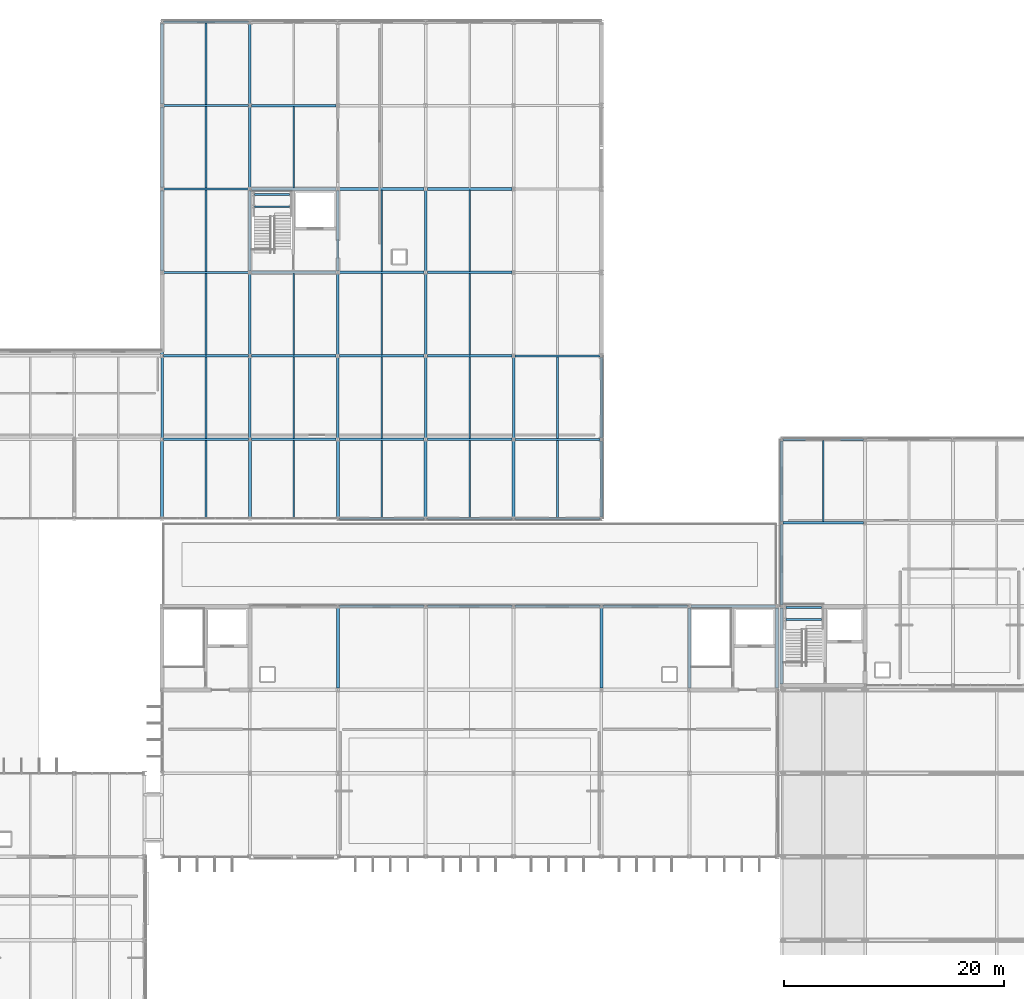
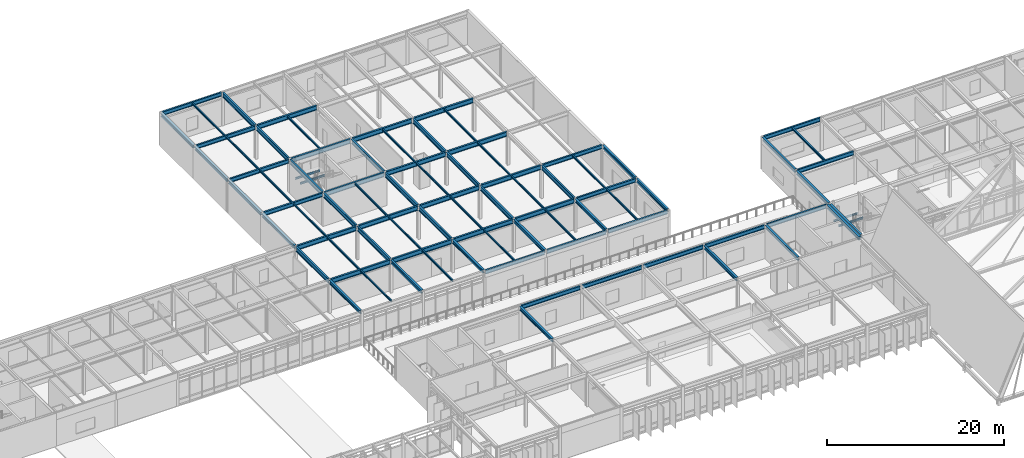
# One storey, part 50 of 100: 87 beams.
"""IFC4 building model written with IfcOpenShell, lengths in metres."""

from ifc_helpers import new_model, si_unit, direction, frame, origin, origin_2d, place, context, subcontext, project, spatial, i_section, extrude, material, material_profile, profile_set, type_object, element, save


model = new_model("IFC4")

# Units and contexts
model_context = context("Model", 3, precision=1e-05, world=origin(), true_north=direction((0.0, 1.0)))
body_context = subcontext(model_context, "Body", "Model", "MODEL_VIEW")
ifc_project = project(units=[si_unit("LENGTHUNIT", "METRE"), si_unit("AREAUNIT", "SQUARE_METRE"), si_unit("VOLUMEUNIT", "CUBIC_METRE"), si_unit("PLANEANGLEUNIT", "RADIAN"), si_unit("MASSUNIT", "GRAM", prefix="KILO")], contexts=[model_context])

# Site, building, storey
site_placement = place(None, origin())
site = spatial("IfcSite", under=ifc_project, at=site_placement, CompositionType="ELEMENT")
building_placement = place(site_placement, origin())
building = spatial("IfcBuilding", under=site, at=building_placement, Name="Zulena Civic Courthouse", CompositionType="ELEMENT")
storey_placement = place(building_placement, frame((0.0, 0.0, 20.39990234375)))
storey = spatial("IfcBuildingStorey", under=building, at=storey_placement, Name="L04", CompositionType="ELEMENT", Elevation=20.39990234375)

# Beams
ifc_material = material(Name="Steel ASTM A992 Grade 50", Category="steel")
ifc_material_profile_1 = material_profile(ifc_material, i_section(OverallWidth=0.22802734375, OverallDepth=0.60693359375, WebThickness=0.01123046875, FlangeThickness=0.017333984375, FilletRadius=0.0126953125, at=origin_2d()), Name="W24X76")
ifc_profile_set_1 = profile_set([ifc_material_profile_1], Name="Steel ASTM A992 Grade 50")
beam_type_1 = type_object("IfcBeamType", Name="Girder_W24X76", PredefinedType="BEAM", material=ifc_profile_set_1)
for number, where, z_axis, x_axis, name in (
    (1, (68.0, 53.344970703125, 4.29150390625), (0.0, 1.0, 0.0), (-1.0, 0.0, 0.0), "beam:Y:V5:L04:68.0:53.2_60.8"),
    (2, (76.0, 53.344970703125, 4.29150390625), (0.0, 1.0, 0.0), (-1.0, 0.0, 0.0), "beam:Y:V5:L04:76.0:53.2_60.8"),
):
    element("IfcBeam", number, at=place(storey_placement, frame(where, z_axis=z_axis, x_axis=x_axis)), inside=storey, type_object=beam_type_1, Name=name, PredefinedType="BEAM", context=body_context, shape_type="SweptSolid", body=[
        extrude(i_section(OverallWidth=0.22802734375, OverallDepth=0.60693359375, WebThickness=0.01123046875, FlangeThickness=0.017333984375, FilletRadius=0.0126953125, at=origin_2d()), origin(), (0.0, 0.0, 1.0), 7.31005859375),
    ])
beam_1_placement = place(storey_placement, frame((76.0, 60.945068359375, 4.29150390625), z_axis=(0.0, 1.0, 0.0), x_axis=(-1.0, 0.0, 0.0)))
element("IfcBeam", 3, at=beam_1_placement, inside=storey, type_object=beam_type_1, Name="beam:Y:V5:L04:76.0:60.8_68.4", PredefinedType="BEAM", context=body_context, shape_type="SweptSolid", body=[
    extrude(i_section(OverallWidth=0.22802734375, OverallDepth=0.60693359375, WebThickness=0.01123046875, FlangeThickness=0.017333984375, FilletRadius=0.0126953125, at=origin_2d()), origin(), (0.0, 0.0, 1.0), 7.309814453125),
])
for number, where, z_axis, x_axis, name in (
    (4, (76.0, 68.544921875, 4.29150390625), (0.0, 1.0, 0.0), (-1.0, 0.0, 0.0), "beam:Y:V5:L04:76.0:68.4_76.0"),
    (5, (76.0, 76.14501953125, 4.29150390625), (0.0, 1.0, 0.0), (-1.0, 0.0, 0.0), "beam:Y:V5:L04:76.0:76.0_83.6"),
):
    element("IfcBeam", number, at=place(storey_placement, frame(where, z_axis=z_axis, x_axis=x_axis)), inside=storey, type_object=beam_type_1, Name=name, PredefinedType="BEAM", context=body_context, shape_type="SweptSolid", body=[
        extrude(i_section(OverallWidth=0.22802734375, OverallDepth=0.60693359375, WebThickness=0.01123046875, FlangeThickness=0.017333984375, FilletRadius=0.0126953125, at=origin_2d()), origin(), (0.0, 0.0, 1.0), 7.31005859375),
    ])
beam_2_placement = place(storey_placement, frame((76.0, 83.7451171875, 4.29150390625), z_axis=(0.0, 1.0, 0.0), x_axis=(-1.0, 0.0, 0.0)))
element("IfcBeam", 6, at=beam_2_placement, inside=storey, type_object=beam_type_1, Name="beam:Y:V5:L04:76.0:83.6_91.2", PredefinedType="BEAM", context=body_context, shape_type="SweptSolid", body=[
    extrude(i_section(OverallWidth=0.22802734375, OverallDepth=0.60693359375, WebThickness=0.01123046875, FlangeThickness=0.017333984375, FilletRadius=0.0126953125, at=origin_2d()), origin(), (0.0, 0.0, 1.0), 7.309814453125),
])
beam_3_placement = place(storey_placement, frame((84.0, 53.344970703125, 4.29150390625), z_axis=(0.0, 1.0, 0.0), x_axis=(-1.0, 0.0, 0.0)))
element("IfcBeam", 7, at=beam_3_placement, inside=storey, type_object=beam_type_1, Name="beam:Y:V5:L04:84.0:53.2_60.8", PredefinedType="BEAM", context=body_context, shape_type="SweptSolid", body=[
    extrude(i_section(OverallWidth=0.22802734375, OverallDepth=0.60693359375, WebThickness=0.01123046875, FlangeThickness=0.017333984375, FilletRadius=0.0126953125, at=origin_2d()), origin(), (0.0, 0.0, 1.0), 7.31005859375),
])
beam_4_placement = place(storey_placement, frame((84.0, 60.945068359375, 4.29150390625), z_axis=(0.0, 1.0, 0.0), x_axis=(-1.0, 0.0, 0.0)))
element("IfcBeam", 8, at=beam_4_placement, inside=storey, type_object=beam_type_1, Name="beam:Y:V5:L04:84.0:60.8_68.4", PredefinedType="BEAM", context=body_context, shape_type="SweptSolid", body=[
    extrude(i_section(OverallWidth=0.22802734375, OverallDepth=0.60693359375, WebThickness=0.01123046875, FlangeThickness=0.017333984375, FilletRadius=0.0126953125, at=origin_2d()), origin(), (0.0, 0.0, 1.0), 7.309814453125),
])
for number, where, z_axis, x_axis, name in (
    (9, (84.0, 68.544921875, 4.29150390625), (0.0, 1.0, 0.0), (-1.0, 0.0, 0.0), "beam:Y:V5:L04:84.0:68.4_76.0"),
    (10, (92.0, 53.344970703125, 4.29150390625), (0.0, 1.0, 0.0), (-1.0, 0.0, 0.0), "beam:Y:V5:L04:92.0:53.2_60.8"),
):
    element("IfcBeam", number, at=place(storey_placement, frame(where, z_axis=z_axis, x_axis=x_axis)), inside=storey, type_object=beam_type_1, Name=name, PredefinedType="BEAM", context=body_context, shape_type="SweptSolid", body=[
        extrude(i_section(OverallWidth=0.22802734375, OverallDepth=0.60693359375, WebThickness=0.01123046875, FlangeThickness=0.017333984375, FilletRadius=0.0126953125, at=origin_2d()), origin(), (0.0, 0.0, 1.0), 7.31005859375),
    ])
beam_5_placement = place(storey_placement, frame((92.0, 60.945068359375, 4.29150390625), z_axis=(0.0, 1.0, 0.0), x_axis=(-1.0, 0.0, 0.0)))
element("IfcBeam", 11, at=beam_5_placement, inside=storey, type_object=beam_type_1, Name="beam:Y:V5:L04:92.0:60.8_68.4", PredefinedType="BEAM", context=body_context, shape_type="SweptSolid", body=[
    extrude(i_section(OverallWidth=0.22802734375, OverallDepth=0.60693359375, WebThickness=0.01123046875, FlangeThickness=0.017333984375, FilletRadius=0.0126953125, at=origin_2d()), origin(), (0.0, 0.0, 1.0), 7.309814453125),
])
for number, where, z_axis, x_axis, name in (
    (12, (92.0, 68.544921875, 4.29150390625), (0.0, 1.0, 0.0), (-1.0, 0.0, 0.0), "beam:Y:V5:L04:92.0:68.4_76.0"),
    (13, (100.0, 53.344970703125, 4.29150390625), (0.0, 1.0, 0.0), (-1.0, 0.0, 0.0), "beam:Y:V5:L04:100.0:53.2_60.8"),
):
    element("IfcBeam", number, at=place(storey_placement, frame(where, z_axis=z_axis, x_axis=x_axis)), inside=storey, type_object=beam_type_1, Name=name, PredefinedType="BEAM", context=body_context, shape_type="SweptSolid", body=[
        extrude(i_section(OverallWidth=0.22802734375, OverallDepth=0.60693359375, WebThickness=0.01123046875, FlangeThickness=0.017333984375, FilletRadius=0.0126953125, at=origin_2d()), origin(), (0.0, 0.0, 1.0), 7.31005859375),
    ])
ifc_material_profile_2 = material_profile(ifc_material, i_section(OverallWidth=0.22998046875, OverallDepth=0.616943359375, WebThickness=0.01318359375, FlangeThickness=0.022216796875, FilletRadius=0.0126953125, at=origin_2d()), Name="W24X94")
ifc_profile_set_2 = profile_set([ifc_material_profile_2], Name="Steel ASTM A992 Grade 50")
beam_type_2 = type_object("IfcBeamType", Name="Girder_W24X94", PredefinedType="BEAM", material=ifc_profile_set_2)
for number, where, z_axis, x_axis, name in (
    (14, (68.14501953125, 53.199951171875, 4.28662109375), (1.0, 0.0, 0.0), (0.0, 1.0, 0.0), "beam:X:V5:L04:53.2:68.0_76.0"),
    (15, (76.14501953125, 53.199951171875, 4.28662109375), (1.0, 0.0, 0.0), (0.0, 1.0, 0.0), "beam:X:V5:L04:53.2:76.0_84.0"),
    (16, (84.14501953125, 53.199951171875, 4.28662109375), (1.0, 0.0, 0.0), (0.0, 1.0, 0.0), "beam:X:V5:L04:53.2:84.0_92.0"),
    (17, (92.14501953125, 53.199951171875, 4.28662109375), (1.0, 0.0, 0.0), (0.0, 1.0, 0.0), "beam:X:V5:L04:53.2:92.0_100.0"),
    (18, (68.14501953125, 60.800048828125, 4.28662109375), (1.0, 0.0, 0.0), (0.0, 1.0, 0.0), "beam:X:V5:L04:60.8:68.0_76.0"),
    (19, (76.14501953125, 60.800048828125, 4.28662109375), (1.0, 0.0, 0.0), (0.0, 1.0, 0.0), "beam:X:V5:L04:60.8:76.0_84.0"),
    (20, (84.14501953125, 60.800048828125, 4.28662109375), (1.0, 0.0, 0.0), (0.0, 1.0, 0.0), "beam:X:V5:L04:60.8:84.0_92.0"),
    (21, (92.14501953125, 60.800048828125, 4.28662109375), (1.0, 0.0, 0.0), (0.0, 1.0, 0.0), "beam:X:V5:L04:60.8:92.0_100.0"),
    (22, (76.14501953125, 68.39990234375, 4.28662109375), (1.0, 0.0, 0.0), (0.0, 1.0, 0.0), "beam:X:V5:L04:68.4:76.0_84.0"),
    (23, (84.14501953125, 68.39990234375, 4.28662109375), (1.0, 0.0, 0.0), (0.0, 1.0, 0.0), "beam:X:V5:L04:68.4:84.0_92.0"),
    (24, (92.14501953125, 68.39990234375, 4.28662109375), (1.0, 0.0, 0.0), (0.0, 1.0, 0.0), "beam:X:V5:L04:68.4:92.0_100.0"),
    (25, (76.14501953125, 76.0, 4.28662109375), (1.0, 0.0, 0.0), (0.0, 1.0, 0.0), "beam:X:V5:L04:76.0:76.0_84.0"),
    (26, (84.14501953125, 76.0, 4.28662109375), (1.0, 0.0, 0.0), (0.0, 1.0, 0.0), "beam:X:V5:L04:76.0:84.0_92.0"),
    (27, (92.14501953125, 76.0, 4.28662109375), (1.0, 0.0, 0.0), (0.0, 1.0, 0.0), "beam:X:V5:L04:76.0:92.0_100.0"),
    (28, (76.14501953125, 83.60009765625, 4.28662109375), (1.0, 0.0, 0.0), (0.0, 1.0, 0.0), "beam:X:V5:L04:83.6:76.0_84.0"),
):
    element("IfcBeam", number, at=place(storey_placement, frame(where, z_axis=z_axis, x_axis=x_axis)), inside=storey, type_object=beam_type_2, Name=name, PredefinedType="BEAM", context=body_context, shape_type="SweptSolid", body=[
        extrude(i_section(OverallWidth=0.22998046875, OverallDepth=0.616943359375, WebThickness=0.01318359375, FlangeThickness=0.022216796875, FilletRadius=0.0126953125, at=origin_2d()), origin(), (0.0, 0.0, 1.0), 7.7099609375),
    ])
ifc_material_profile_3 = material_profile(ifc_material, i_section(OverallWidth=0.14599609375, OverallDepth=0.258056640625, WebThickness=0.006103515625, FlangeThickness=0.009033203125, FilletRadius=0.007568359375, at=origin_2d()), Name="W10X22")
ifc_profile_set_3 = profile_set([ifc_material_profile_3], Name="Steel ASTM A992 Grade 50")
beam_type_3 = type_object("IfcBeamType", Name="Joist_W10X22", PredefinedType="JOIST", material=ifc_profile_set_3)
beam_6_placement = place(storey_placement, frame((72.0, 46.10498046875, 4.466064453125), z_axis=(0.0, 1.0, 0.0), x_axis=(-1.0, 0.0, 0.0)))
element("IfcBeam", 29, at=beam_6_placement, inside=storey, type_object=beam_type_3, Name="joist:V5:L04:72.00:46.0_53.2", PredefinedType="JOIST", context=body_context, shape_type="SweptSolid", body=[
    extrude(i_section(OverallWidth=0.14599609375, OverallDepth=0.258056640625, WebThickness=0.006103515625, FlangeThickness=0.009033203125, FilletRadius=0.007568359375, at=origin_2d()), origin(), (0.0, 0.0, 1.0), 6.989990234375),
])
beam_7_placement = place(storey_placement, frame((72.0, 53.304931640625, 4.466064453125), z_axis=(0.0, 1.0, 0.0), x_axis=(-1.0, 0.0, 0.0)))
element("IfcBeam", 30, at=beam_7_placement, inside=storey, type_object=beam_type_3, Name="joist:V5:L04:72.00:53.2_60.8", PredefinedType="JOIST", context=body_context, shape_type="SweptSolid", body=[
    extrude(i_section(OverallWidth=0.14599609375, OverallDepth=0.258056640625, WebThickness=0.006103515625, FlangeThickness=0.009033203125, FilletRadius=0.007568359375, at=origin_2d()), origin(), (0.0, 0.0, 1.0), 7.39013671875),
])
beam_8_placement = place(storey_placement, frame((72.0, 60.905029296875, 4.466064453125), z_axis=(0.0, 1.0, 0.0), x_axis=(-1.0, 0.0, 0.0)))
element("IfcBeam", 31, at=beam_8_placement, inside=storey, type_object=beam_type_3, Name="joist:V5:L04:72.00:60.8_68.4", PredefinedType="JOIST", context=body_context, shape_type="SweptSolid", body=[
    extrude(i_section(OverallWidth=0.14599609375, OverallDepth=0.258056640625, WebThickness=0.006103515625, FlangeThickness=0.009033203125, FilletRadius=0.007568359375, at=origin_2d()), origin(), (0.0, 0.0, 1.0), 7.389892578125),
])
for number, where, z_axis, x_axis, name in (
    (32, (72.0, 68.5048828125, 4.466064453125), (0.0, 1.0, 0.0), (-1.0, 0.0, 0.0), "joist:V5:L04:72.00:68.4_76.0"),
    (33, (72.0, 76.10498046875, 4.466064453125), (0.0, 1.0, 0.0), (-1.0, 0.0, 0.0), "joist:V5:L04:72.00:76.0_83.6"),
):
    element("IfcBeam", number, at=place(storey_placement, frame(where, z_axis=z_axis, x_axis=x_axis)), inside=storey, type_object=beam_type_3, Name=name, PredefinedType="JOIST", context=body_context, shape_type="SweptSolid", body=[
        extrude(i_section(OverallWidth=0.14599609375, OverallDepth=0.258056640625, WebThickness=0.006103515625, FlangeThickness=0.009033203125, FilletRadius=0.007568359375, at=origin_2d()), origin(), (0.0, 0.0, 1.0), 7.39013671875),
    ])
beam_9_placement = place(storey_placement, frame((72.0, 83.705078125, 4.466064453125), z_axis=(0.0, 1.0, 0.0), x_axis=(-1.0, 0.0, 0.0)))
element("IfcBeam", 34, at=beam_9_placement, inside=storey, type_object=beam_type_3, Name="joist:V5:L04:72.00:83.6_91.2", PredefinedType="JOIST", context=body_context, shape_type="SweptSolid", body=[
    extrude(i_section(OverallWidth=0.14599609375, OverallDepth=0.258056640625, WebThickness=0.006103515625, FlangeThickness=0.009033203125, FilletRadius=0.007568359375, at=origin_2d()), origin(), (0.0, 0.0, 1.0), 7.389892578125),
])
beam_10_placement = place(storey_placement, frame((80.0, 46.10498046875, 4.466064453125), z_axis=(0.0, 1.0, 0.0), x_axis=(-1.0, 0.0, 0.0)))
element("IfcBeam", 35, at=beam_10_placement, inside=storey, type_object=beam_type_3, Name="joist:V5:L04:80.00:46.0_53.2", PredefinedType="JOIST", context=body_context, shape_type="SweptSolid", body=[
    extrude(i_section(OverallWidth=0.14599609375, OverallDepth=0.258056640625, WebThickness=0.006103515625, FlangeThickness=0.009033203125, FilletRadius=0.007568359375, at=origin_2d()), origin(), (0.0, 0.0, 1.0), 6.989990234375),
])
beam_11_placement = place(storey_placement, frame((80.0, 53.304931640625, 4.466064453125), z_axis=(0.0, 1.0, 0.0), x_axis=(-1.0, 0.0, 0.0)))
element("IfcBeam", 36, at=beam_11_placement, inside=storey, type_object=beam_type_3, Name="joist:V5:L04:80.00:53.2_60.8", PredefinedType="JOIST", context=body_context, shape_type="SweptSolid", body=[
    extrude(i_section(OverallWidth=0.14599609375, OverallDepth=0.258056640625, WebThickness=0.006103515625, FlangeThickness=0.009033203125, FilletRadius=0.007568359375, at=origin_2d()), origin(), (0.0, 0.0, 1.0), 7.39013671875),
])
beam_12_placement = place(storey_placement, frame((80.0, 60.905029296875, 4.466064453125), z_axis=(0.0, 1.0, 0.0), x_axis=(-1.0, 0.0, 0.0)))
element("IfcBeam", 37, at=beam_12_placement, inside=storey, type_object=beam_type_3, Name="joist:V5:L04:80.00:60.8_68.4", PredefinedType="JOIST", context=body_context, shape_type="SweptSolid", body=[
    extrude(i_section(OverallWidth=0.14599609375, OverallDepth=0.258056640625, WebThickness=0.006103515625, FlangeThickness=0.009033203125, FilletRadius=0.007568359375, at=origin_2d()), origin(), (0.0, 0.0, 1.0), 7.389892578125),
])
beam_13_placement = place(storey_placement, frame((80.0, 76.10498046875, 4.466064453125), z_axis=(0.0, 1.0, 0.0), x_axis=(-1.0, 0.0, 0.0)))
element("IfcBeam", 38, at=beam_13_placement, inside=storey, type_object=beam_type_3, Name="joist:V5:L04:80.00:76.0_83.6", PredefinedType="JOIST", context=body_context, shape_type="SweptSolid", body=[
    extrude(i_section(OverallWidth=0.14599609375, OverallDepth=0.258056640625, WebThickness=0.006103515625, FlangeThickness=0.009033203125, FilletRadius=0.007568359375, at=origin_2d()), origin(), (0.0, 0.0, 1.0), 7.39013671875),
])
beam_14_placement = place(storey_placement, frame((88.0, 46.10498046875, 4.466064453125), z_axis=(0.0, 1.0, 0.0), x_axis=(-1.0, 0.0, 0.0)))
element("IfcBeam", 39, at=beam_14_placement, inside=storey, type_object=beam_type_3, Name="joist:V5:L04:88.00:46.0_53.2", PredefinedType="JOIST", context=body_context, shape_type="SweptSolid", body=[
    extrude(i_section(OverallWidth=0.14599609375, OverallDepth=0.258056640625, WebThickness=0.006103515625, FlangeThickness=0.009033203125, FilletRadius=0.007568359375, at=origin_2d()), origin(), (0.0, 0.0, 1.0), 6.989990234375),
])
beam_15_placement = place(storey_placement, frame((88.0, 53.304931640625, 4.466064453125), z_axis=(0.0, 1.0, 0.0), x_axis=(-1.0, 0.0, 0.0)))
element("IfcBeam", 40, at=beam_15_placement, inside=storey, type_object=beam_type_3, Name="joist:V5:L04:88.00:53.2_60.8", PredefinedType="JOIST", context=body_context, shape_type="SweptSolid", body=[
    extrude(i_section(OverallWidth=0.14599609375, OverallDepth=0.258056640625, WebThickness=0.006103515625, FlangeThickness=0.009033203125, FilletRadius=0.007568359375, at=origin_2d()), origin(), (0.0, 0.0, 1.0), 7.39013671875),
])
beam_16_placement = place(storey_placement, frame((88.0, 60.905029296875, 4.466064453125), z_axis=(0.0, 1.0, 0.0), x_axis=(-1.0, 0.0, 0.0)))
element("IfcBeam", 41, at=beam_16_placement, inside=storey, type_object=beam_type_3, Name="joist:V5:L04:88.00:60.8_68.4", PredefinedType="JOIST", context=body_context, shape_type="SweptSolid", body=[
    extrude(i_section(OverallWidth=0.14599609375, OverallDepth=0.258056640625, WebThickness=0.006103515625, FlangeThickness=0.009033203125, FilletRadius=0.007568359375, at=origin_2d()), origin(), (0.0, 0.0, 1.0), 7.389892578125),
])
beam_17_placement = place(storey_placement, frame((88.0, 68.5048828125, 4.466064453125), z_axis=(0.0, 1.0, 0.0), x_axis=(-1.0, 0.0, 0.0)))
element("IfcBeam", 42, at=beam_17_placement, inside=storey, type_object=beam_type_3, Name="joist:V5:L04:88.00:68.4_76.0", PredefinedType="JOIST", context=body_context, shape_type="SweptSolid", body=[
    extrude(i_section(OverallWidth=0.14599609375, OverallDepth=0.258056640625, WebThickness=0.006103515625, FlangeThickness=0.009033203125, FilletRadius=0.007568359375, at=origin_2d()), origin(), (0.0, 0.0, 1.0), 7.39013671875),
])
beam_18_placement = place(storey_placement, frame((96.0, 46.10498046875, 4.466064453125), z_axis=(0.0, 1.0, 0.0), x_axis=(-1.0, 0.0, 0.0)))
element("IfcBeam", 43, at=beam_18_placement, inside=storey, type_object=beam_type_3, Name="joist:V5:L04:96.00:46.0_53.2", PredefinedType="JOIST", context=body_context, shape_type="SweptSolid", body=[
    extrude(i_section(OverallWidth=0.14599609375, OverallDepth=0.258056640625, WebThickness=0.006103515625, FlangeThickness=0.009033203125, FilletRadius=0.007568359375, at=origin_2d()), origin(), (0.0, 0.0, 1.0), 6.989990234375),
])
beam_19_placement = place(storey_placement, frame((96.0, 53.304931640625, 4.466064453125), z_axis=(0.0, 1.0, 0.0), x_axis=(-1.0, 0.0, 0.0)))
element("IfcBeam", 44, at=beam_19_placement, inside=storey, type_object=beam_type_3, Name="joist:V5:L04:96.00:53.2_60.8", PredefinedType="JOIST", context=body_context, shape_type="SweptSolid", body=[
    extrude(i_section(OverallWidth=0.14599609375, OverallDepth=0.258056640625, WebThickness=0.006103515625, FlangeThickness=0.009033203125, FilletRadius=0.007568359375, at=origin_2d()), origin(), (0.0, 0.0, 1.0), 7.39013671875),
])
beam_20_placement = place(storey_placement, frame((96.0, 60.905029296875, 4.466064453125), z_axis=(0.0, 1.0, 0.0), x_axis=(-1.0, 0.0, 0.0)))
element("IfcBeam", 45, at=beam_20_placement, inside=storey, type_object=beam_type_3, Name="joist:V5:L04:96.00:60.8_68.4", PredefinedType="JOIST", context=body_context, shape_type="SweptSolid", body=[
    extrude(i_section(OverallWidth=0.14599609375, OverallDepth=0.258056640625, WebThickness=0.006103515625, FlangeThickness=0.009033203125, FilletRadius=0.007568359375, at=origin_2d()), origin(), (0.0, 0.0, 1.0), 7.389892578125),
])
beam_21_placement = place(storey_placement, frame((96.0, 68.5048828125, 4.466064453125), z_axis=(0.0, 1.0, 0.0), x_axis=(-1.0, 0.0, 0.0)))
element("IfcBeam", 46, at=beam_21_placement, inside=storey, type_object=beam_type_3, Name="joist:V5:L04:96.00:68.4_76.0", PredefinedType="JOIST", context=body_context, shape_type="SweptSolid", body=[
    extrude(i_section(OverallWidth=0.14599609375, OverallDepth=0.258056640625, WebThickness=0.006103515625, FlangeThickness=0.009033203125, FilletRadius=0.007568359375, at=origin_2d()), origin(), (0.0, 0.0, 1.0), 7.39013671875),
])
beam_22_placement = place(storey_placement, frame((104.0, 46.10498046875, 4.466064453125), z_axis=(0.0, 1.0, 0.0), x_axis=(-1.0, 0.0, 0.0)))
element("IfcBeam", 47, at=beam_22_placement, inside=storey, type_object=beam_type_3, Name="joist:V5:L04:104.00:46.0_53.2", PredefinedType="JOIST", context=body_context, shape_type="SweptSolid", body=[
    extrude(i_section(OverallWidth=0.14599609375, OverallDepth=0.258056640625, WebThickness=0.006103515625, FlangeThickness=0.009033203125, FilletRadius=0.007568359375, at=origin_2d()), origin(), (0.0, 0.0, 1.0), 6.989990234375),
])
beam_23_placement = place(storey_placement, frame((104.0, 53.304931640625, 4.466064453125), z_axis=(0.0, 1.0, 0.0), x_axis=(-1.0, 0.0, 0.0)))
element("IfcBeam", 48, at=beam_23_placement, inside=storey, type_object=beam_type_3, Name="joist:V5:L04:104.00:53.2_60.8", PredefinedType="JOIST", context=body_context, shape_type="SweptSolid", body=[
    extrude(i_section(OverallWidth=0.14599609375, OverallDepth=0.258056640625, WebThickness=0.006103515625, FlangeThickness=0.009033203125, FilletRadius=0.007568359375, at=origin_2d()), origin(), (0.0, 0.0, 1.0), 7.39013671875),
])
for number, where, z_axis, x_axis, name in (
    (49, (124.820068359375, 36.800048828125, 1.9912109375), (1.0, 0.0, 0.0), (0.0, 1.0, 0.0), "beam:lnd:K3A:L04:0"),
    (50, (124.820068359375, 37.89990234375, 1.9912109375), (1.0, 0.0, 0.0), (0.0, 1.0, 0.0), "beam:lnd:K3A:L04:1"),
):
    element("IfcBeam", number, at=place(storey_placement, frame(where, z_axis=z_axis, x_axis=x_axis)), inside=storey, type_object=beam_type_3, Name=name, PredefinedType="JOIST", context=body_context, shape_type="SweptSolid", body=[
        extrude(i_section(OverallWidth=0.14599609375, OverallDepth=0.258056640625, WebThickness=0.006103515625, FlangeThickness=0.009033203125, FilletRadius=0.007568359375, at=origin_2d()), origin(), (0.0, 0.0, 1.0), 3.199951171875),
    ])
for number, where, z_axis, x_axis, name in (
    (51, (76.419921875, 74.39990234375, 1.9912109375), (1.0, 0.0, 0.0), (0.0, 1.0, 0.0), "beam:lnd:K5B:L04:0"),
    (52, (76.419921875, 75.5, 1.9912109375), (1.0, 0.0, 0.0), (0.0, 1.0, 0.0), "beam:lnd:K5B:L04:1"),
):
    element("IfcBeam", number, at=place(storey_placement, frame(where, z_axis=z_axis, x_axis=x_axis)), inside=storey, type_object=beam_type_3, Name=name, PredefinedType="JOIST", context=body_context, shape_type="SweptSolid", body=[
        extrude(i_section(OverallWidth=0.14599609375, OverallDepth=0.258056640625, WebThickness=0.006103515625, FlangeThickness=0.009033203125, FilletRadius=0.007568359375, at=origin_2d()), origin(), (0.0, 0.0, 1.0), 3.2001953125),
    ])
ifc_material_profile_4 = material_profile(ifc_material, i_section(OverallWidth=0.1650390625, OverallDepth=0.31005859375, WebThickness=0.005859375, FlangeThickness=0.009765625, FilletRadius=0.009765625, at=origin_2d()), Name="W12X26")
ifc_profile_set_4 = profile_set([ifc_material_profile_4], Name="Steel ASTM A992 Grade 50")
beam_type_4 = type_object("IfcBeamType", Name="Joist_W12X26", PredefinedType="JOIST", material=ifc_profile_set_4)
beam_24_placement = place(storey_placement, frame((128.199951171875, 45.705078125, 4.39013671875), z_axis=(0.0, 1.0, 0.0), x_axis=(-1.0, 0.0, 0.0)))
element("IfcBeam", 53, at=beam_24_placement, inside=storey, type_object=beam_type_4, Name="joist:V3:L04:128.20:45.6_53.2", PredefinedType="JOIST", context=body_context, shape_type="SweptSolid", body=[
    extrude(i_section(OverallWidth=0.1650390625, OverallDepth=0.31005859375, WebThickness=0.005859375, FlangeThickness=0.009765625, FilletRadius=0.009765625, at=origin_2d()), origin(), (0.0, 0.0, 1.0), 7.389892578125),
])
ifc_material_profile_5 = material_profile(ifc_material, i_section(OverallWidth=0.280029296875, OverallDepth=0.462890625, WebThickness=0.0107421875, FlangeThickness=0.017333984375, FilletRadius=0.01025390625, at=origin_2d()), Name="W18X76")
ifc_profile_set_5 = profile_set([ifc_material_profile_5], Name="Steel ASTM A992 Grade 50")
beam_type_5 = type_object("IfcBeamType", Name="Spandrel_W18X76", PredefinedType="SPANDREL", material=ifc_profile_set_5)
beam_25_placement = place(storey_placement, frame((124.39990234375, 30.945068359375, 4.3134765625), z_axis=(0.0, 1.0, 0.0), x_axis=(-1.0, 0.0, 0.0)))
element("IfcBeam", 54, at=beam_25_placement, inside=storey, type_object=beam_type_5, Name="beam:Y:V3:L04:124.4:30.8_38.0", PredefinedType="SPANDREL", context=body_context, shape_type="SweptSolid", body=[
    extrude(i_section(OverallWidth=0.280029296875, OverallDepth=0.462890625, WebThickness=0.0107421875, FlangeThickness=0.017333984375, FilletRadius=0.01025390625, at=origin_2d()), origin(), (0.0, 0.0, 1.0), 6.909912109375),
])
beam_26_placement = place(storey_placement, frame((124.39990234375, 38.14501953125, 4.3134765625), z_axis=(0.0, 1.0, 0.0), x_axis=(-1.0, 0.0, 0.0)))
element("IfcBeam", 55, at=beam_26_placement, inside=storey, type_object=beam_type_5, Name="beam:Y:V3:L04:124.4:38.0_45.6", PredefinedType="SPANDREL", context=body_context, shape_type="SweptSolid", body=[
    extrude(i_section(OverallWidth=0.280029296875, OverallDepth=0.462890625, WebThickness=0.0107421875, FlangeThickness=0.017333984375, FilletRadius=0.01025390625, at=origin_2d()), origin(), (0.0, 0.0, 1.0), 7.31005859375),
])
beam_27_placement = place(storey_placement, frame((124.39990234375, 45.7451171875, 4.3134765625), z_axis=(0.0, 1.0, 0.0), x_axis=(-1.0, 0.0, 0.0)))
element("IfcBeam", 56, at=beam_27_placement, inside=storey, type_object=beam_type_5, Name="beam:Y:V3:L04:124.4:45.6_53.2", PredefinedType="SPANDREL", context=body_context, shape_type="SweptSolid", body=[
    extrude(i_section(OverallWidth=0.280029296875, OverallDepth=0.462890625, WebThickness=0.0107421875, FlangeThickness=0.017333984375, FilletRadius=0.01025390625, at=origin_2d()), origin(), (0.0, 0.0, 1.0), 7.309814453125),
])
for number, where, z_axis, x_axis, name in (
    (57, (84.0, 30.544921875, 4.363525390625), (0.0, 1.0, 0.0), (-1.0, 0.0, 0.0), "beam:Y:V4:L04:84.0:30.4_38.0"),
    (58, (108.0, 30.544921875, 4.363525390625), (0.0, 1.0, 0.0), (-1.0, 0.0, 0.0), "beam:Y:V4:L04:108.0:30.4_38.0"),
    (59, (116.0, 30.544921875, 4.363525390625), (0.0, 1.0, 0.0), (-1.0, 0.0, 0.0), "beam:Y:V4:L04:116.0:30.4_38.0"),
    (60, (124.0, 30.544921875, 4.363525390625), (0.0, 1.0, 0.0), (-1.0, 0.0, 0.0), "beam:Y:V4:L04:124.0:30.4_38.0"),
):
    element("IfcBeam", number, at=place(storey_placement, frame(where, z_axis=z_axis, x_axis=x_axis)), inside=storey, type_object=beam_type_5, Name=name, PredefinedType="SPANDREL", context=body_context, shape_type="SweptSolid", body=[
        extrude(i_section(OverallWidth=0.280029296875, OverallDepth=0.462890625, WebThickness=0.0107421875, FlangeThickness=0.017333984375, FilletRadius=0.01025390625, at=origin_2d()), origin(), (0.0, 0.0, 1.0), 7.31005859375),
    ])
beam_28_placement = place(storey_placement, frame((68.0, 46.14501953125, 4.363525390625), z_axis=(0.0, 1.0, 0.0), x_axis=(-1.0, 0.0, 0.0)))
element("IfcBeam", 61, at=beam_28_placement, inside=storey, type_object=beam_type_5, Name="beam:Y:V5:L04:68.0:46.0_53.2", PredefinedType="SPANDREL", context=body_context, shape_type="SweptSolid", body=[
    extrude(i_section(OverallWidth=0.280029296875, OverallDepth=0.462890625, WebThickness=0.0107421875, FlangeThickness=0.017333984375, FilletRadius=0.01025390625, at=origin_2d()), origin(), (0.0, 0.0, 1.0), 6.909912109375),
])
beam_29_placement = place(storey_placement, frame((68.0, 60.945068359375, 4.363525390625), z_axis=(0.0, 1.0, 0.0), x_axis=(-1.0, 0.0, 0.0)))
element("IfcBeam", 62, at=beam_29_placement, inside=storey, type_object=beam_type_5, Name="beam:Y:V5:L04:68.0:60.8_68.4", PredefinedType="SPANDREL", context=body_context, shape_type="SweptSolid", body=[
    extrude(i_section(OverallWidth=0.280029296875, OverallDepth=0.462890625, WebThickness=0.0107421875, FlangeThickness=0.017333984375, FilletRadius=0.01025390625, at=origin_2d()), origin(), (0.0, 0.0, 1.0), 7.309814453125),
])
for number, where, z_axis, x_axis, name in (
    (63, (68.0, 68.544921875, 4.363525390625), (0.0, 1.0, 0.0), (-1.0, 0.0, 0.0), "beam:Y:V5:L04:68.0:68.4_76.0"),
    (64, (68.0, 76.14501953125, 4.363525390625), (0.0, 1.0, 0.0), (-1.0, 0.0, 0.0), "beam:Y:V5:L04:68.0:76.0_83.6"),
):
    element("IfcBeam", number, at=place(storey_placement, frame(where, z_axis=z_axis, x_axis=x_axis)), inside=storey, type_object=beam_type_5, Name=name, PredefinedType="SPANDREL", context=body_context, shape_type="SweptSolid", body=[
        extrude(i_section(OverallWidth=0.280029296875, OverallDepth=0.462890625, WebThickness=0.0107421875, FlangeThickness=0.017333984375, FilletRadius=0.01025390625, at=origin_2d()), origin(), (0.0, 0.0, 1.0), 7.31005859375),
    ])
beam_30_placement = place(storey_placement, frame((68.0, 83.7451171875, 4.363525390625), z_axis=(0.0, 1.0, 0.0), x_axis=(-1.0, 0.0, 0.0)))
element("IfcBeam", 65, at=beam_30_placement, inside=storey, type_object=beam_type_5, Name="beam:Y:V5:L04:68.0:83.6_91.2", PredefinedType="SPANDREL", context=body_context, shape_type="SweptSolid", body=[
    extrude(i_section(OverallWidth=0.280029296875, OverallDepth=0.462890625, WebThickness=0.0107421875, FlangeThickness=0.017333984375, FilletRadius=0.01025390625, at=origin_2d()), origin(), (0.0, 0.0, 1.0), 7.309814453125),
])
for number, where, z_axis, x_axis, name in (
    (66, (76.0, 46.14501953125, 4.363525390625), (0.0, 1.0, 0.0), (-1.0, 0.0, 0.0), "beam:Y:V5:L04:76.0:46.0_53.2"),
    (67, (84.0, 46.14501953125, 4.363525390625), (0.0, 1.0, 0.0), (-1.0, 0.0, 0.0), "beam:Y:V5:L04:84.0:46.0_53.2"),
    (68, (92.0, 46.14501953125, 4.363525390625), (0.0, 1.0, 0.0), (-1.0, 0.0, 0.0), "beam:Y:V5:L04:92.0:46.0_53.2"),
    (69, (100.0, 46.14501953125, 4.363525390625), (0.0, 1.0, 0.0), (-1.0, 0.0, 0.0), "beam:Y:V5:L04:100.0:46.0_53.2"),
    (70, (108.0, 46.14501953125, 4.363525390625), (0.0, 1.0, 0.0), (-1.0, 0.0, 0.0), "beam:Y:V5:L04:108.0:46.0_53.2"),
):
    element("IfcBeam", number, at=place(storey_placement, frame(where, z_axis=z_axis, x_axis=x_axis)), inside=storey, type_object=beam_type_5, Name=name, PredefinedType="SPANDREL", context=body_context, shape_type="SweptSolid", body=[
        extrude(i_section(OverallWidth=0.280029296875, OverallDepth=0.462890625, WebThickness=0.0107421875, FlangeThickness=0.017333984375, FilletRadius=0.01025390625, at=origin_2d()), origin(), (0.0, 0.0, 1.0), 6.909912109375),
    ])
beam_31_placement = place(storey_placement, frame((108.0, 53.344970703125, 4.363525390625), z_axis=(0.0, 1.0, 0.0), x_axis=(-1.0, 0.0, 0.0)))
element("IfcBeam", 71, at=beam_31_placement, inside=storey, type_object=beam_type_5, Name="beam:Y:V5:L04:108.0:53.2_60.8", PredefinedType="SPANDREL", context=body_context, shape_type="SweptSolid", body=[
    extrude(i_section(OverallWidth=0.280029296875, OverallDepth=0.462890625, WebThickness=0.0107421875, FlangeThickness=0.017333984375, FilletRadius=0.01025390625, at=origin_2d()), origin(), (0.0, 0.0, 1.0), 7.31005859375),
])
ifc_material_profile_6 = material_profile(ifc_material, i_section(OverallWidth=0.2099609375, OverallDepth=0.537109375, WebThickness=0.010986328125, FlangeThickness=0.017333984375, FilletRadius=0.0126953125, at=origin_2d()), Name="W21X68")
ifc_profile_set_6 = profile_set([ifc_material_profile_6], Name="Steel ASTM A992 Grade 50")
beam_type_6 = type_object("IfcBeamType", Name="Spandrel_W21X68", PredefinedType="SPANDREL", material=ifc_profile_set_6)
for number, where, z_axis, x_axis, name in (
    (72, (124.544921875, 45.60009765625, 4.276611328125), (1.0, 0.0, 0.0), (0.0, 1.0, 0.0), "beam:X:V3:L04:45.6:124.4_132.0"),
    (73, (124.544921875, 53.199951171875, 4.276611328125), (1.0, 0.0, 0.0), (0.0, 1.0, 0.0), "beam:X:V3:L04:53.2:124.4_132.0"),
):
    element("IfcBeam", number, at=place(storey_placement, frame(where, z_axis=z_axis, x_axis=x_axis)), inside=storey, type_object=beam_type_6, Name=name, PredefinedType="SPANDREL", context=body_context, shape_type="SweptSolid", body=[
        extrude(i_section(OverallWidth=0.2099609375, OverallDepth=0.537109375, WebThickness=0.010986328125, FlangeThickness=0.017333984375, FilletRadius=0.0126953125, at=origin_2d()), origin(), (0.0, 0.0, 1.0), 7.31005859375),
    ])
for number, where, z_axis, x_axis, name in (
    (74, (84.14501953125, 38.0, 4.32666015625), (1.0, 0.0, 0.0), (0.0, 1.0, 0.0), "beam:X:V4:L04:38.0:84.0_92.0"),
    (75, (92.14501953125, 38.0, 4.32666015625), (1.0, 0.0, 0.0), (0.0, 1.0, 0.0), "beam:X:V4:L04:38.0:92.0_100.0"),
    (76, (100.14501953125, 38.0, 4.32666015625), (1.0, 0.0, 0.0), (0.0, 1.0, 0.0), "beam:X:V4:L04:38.0:100.0_108.0"),
    (77, (108.14501953125, 38.0, 4.32666015625), (1.0, 0.0, 0.0), (0.0, 1.0, 0.0), "beam:X:V4:L04:38.0:108.0_116.0"),
    (78, (116.14501953125, 38.0, 4.32666015625), (1.0, 0.0, 0.0), (0.0, 1.0, 0.0), "beam:X:V4:L04:38.0:116.0_124.0"),
    (79, (84.14501953125, 46.0, 4.32666015625), (1.0, 0.0, 0.0), (0.0, 1.0, 0.0), "beam:X:V5:L04:46.0:84.0_92.0"),
    (80, (92.14501953125, 46.0, 4.32666015625), (1.0, 0.0, 0.0), (0.0, 1.0, 0.0), "beam:X:V5:L04:46.0:92.0_100.0"),
    (81, (100.14501953125, 46.0, 4.32666015625), (1.0, 0.0, 0.0), (0.0, 1.0, 0.0), "beam:X:V5:L04:46.0:100.0_108.0"),
    (82, (100.14501953125, 53.199951171875, 4.32666015625), (1.0, 0.0, 0.0), (0.0, 1.0, 0.0), "beam:X:V5:L04:53.2:100.0_108.0"),
    (83, (100.14501953125, 60.800048828125, 4.32666015625), (1.0, 0.0, 0.0), (0.0, 1.0, 0.0), "beam:X:V5:L04:60.8:100.0_108.0"),
    (84, (68.14501953125, 68.39990234375, 4.32666015625), (1.0, 0.0, 0.0), (0.0, 1.0, 0.0), "beam:X:V5:L04:68.4:68.0_76.0"),
    (85, (68.14501953125, 76.0, 4.32666015625), (1.0, 0.0, 0.0), (0.0, 1.0, 0.0), "beam:X:V5:L04:76.0:68.0_76.0"),
    (86, (68.14501953125, 83.60009765625, 4.32666015625), (1.0, 0.0, 0.0), (0.0, 1.0, 0.0), "beam:X:V5:L04:83.6:68.0_76.0"),
    (87, (68.14501953125, 91.199951171875, 4.32666015625), (1.0, 0.0, 0.0), (0.0, 1.0, 0.0), "beam:X:V5:L04:91.2:68.0_76.0"),
):
    element("IfcBeam", number, at=place(storey_placement, frame(where, z_axis=z_axis, x_axis=x_axis)), inside=storey, type_object=beam_type_6, Name=name, PredefinedType="SPANDREL", context=body_context, shape_type="SweptSolid", body=[
        extrude(i_section(OverallWidth=0.2099609375, OverallDepth=0.537109375, WebThickness=0.010986328125, FlangeThickness=0.017333984375, FilletRadius=0.0126953125, at=origin_2d()), origin(), (0.0, 0.0, 1.0), 7.7099609375),
    ])

save(model, "model.ifc")
